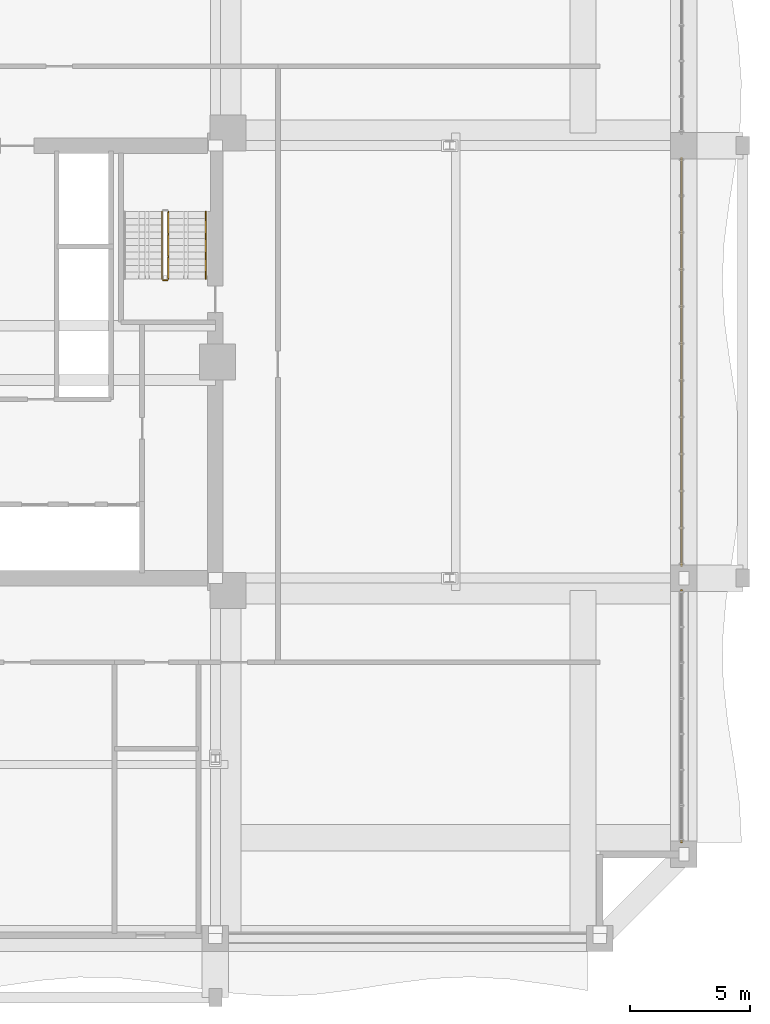
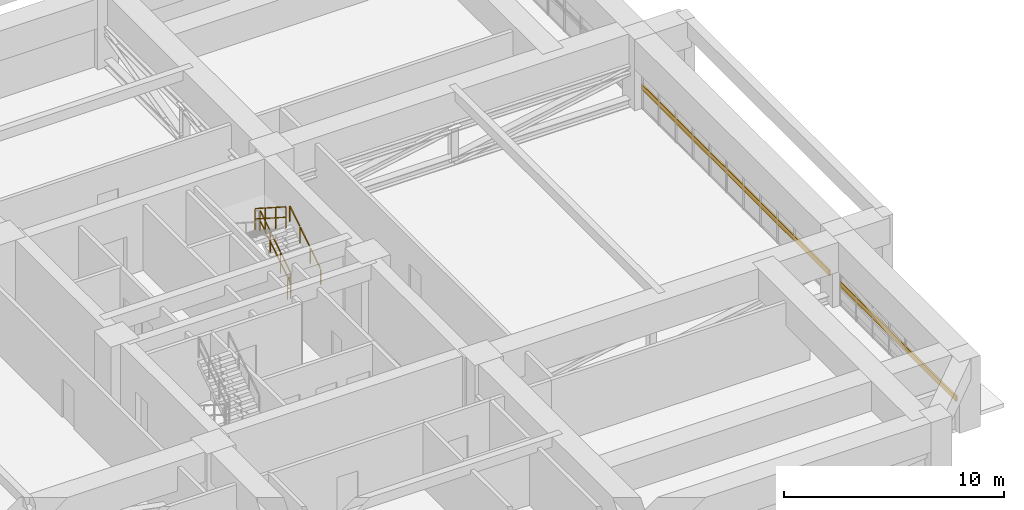
# One storey, part 33 of 35: 4 railings, 2 shading devices.
"""IFC4 building model written with IfcOpenShell, lengths in metres."""

from ifc_helpers import new_model, si_unit, direction, frame, origin, origin_2d, place, context, subcontext, project, spatial, rectangle, extrude, source, transform, mapped, material, material_profile, profile_set, type_object, element, save


model = new_model("IFC4")

# Units and contexts
model_context = context("Model", 3, precision=1e-05, world=origin(), true_north=direction((0.0, 1.0)))
body_context = subcontext(model_context, "Body", "Model", "MODEL_VIEW")
ifc_project = project(units=[si_unit("LENGTHUNIT", "METRE"), si_unit("AREAUNIT", "SQUARE_METRE"), si_unit("VOLUMEUNIT", "CUBIC_METRE"), si_unit("PLANEANGLEUNIT", "RADIAN"), si_unit("MASSUNIT", "GRAM", prefix="KILO")], contexts=[model_context])

# Site, building, storey
site_placement = place(None, origin())
site = spatial("IfcSite", under=ifc_project, at=site_placement, CompositionType="ELEMENT")
building_placement = place(site_placement, origin())
building = spatial("IfcBuilding", under=site, at=building_placement, Name="Saelheon Loggia Tower", CompositionType="ELEMENT")
storey_placement = place(building_placement, frame((0.0, 0.0, 70.39990234375)))
storey = spatial("IfcBuildingStorey", under=building, at=storey_placement, Name="L22", CompositionType="ELEMENT", Elevation=70.39990234375)

# Railings
ifc_material_1 = material(Name="Galvanised Steel S275 Stairwell Guardrail", Category="steel")
railing_type_1 = type_object("IfcRailingType", Name="Guard_StairWell_RL_STG", PredefinedType="GUARDRAIL", material=ifc_material_1)
railing_1_placement = place(storey_placement, frame((42.5400390625, 30.449951171875, 0.1796875)))
element("IfcRailing", 1, at=railing_1_placement, inside=storey, type_object=railing_type_1, Name="L22 ST2 stair guard 1", PredefinedType="GUARDRAIL", context=body_context, shape_type="SweptSolid", body=[
    extrude(rectangle(XDim=0.048095703125, YDim=0.048095703125, at=origin_2d()), frame((0.0, 0.028076171875, 1.19384765625), z_axis=(0.0, 0.841809871826, 0.539774156196), x_axis=(-1.0, 0.0, 0.0)), (0.0, 0.0, 1.0), 1.042236328125),
    extrude(rectangle(XDim=0.048095703125, YDim=0.048095703125, at=origin_2d()), frame((0.0, 0.028076171875, 0.617919921875), z_axis=(0.0, 0.841809871826, 0.539774156196), x_axis=(-1.0, 0.0, 0.0)), (0.0, 0.0, 1.0), 1.042236328125),
    extrude(rectangle(XDim=0.048095703125, YDim=0.048095703125, at=origin_2d()), frame((0.0, 0.96142578125, 1.792236328125), z_axis=(0.0, 0.841809871826, 0.539774156196), x_axis=(-1.0, 0.0, 0.0)), (0.0, 0.0, 1.0), 1.042236328125),
    extrude(rectangle(XDim=0.048095703125, YDim=0.048095703125, at=origin_2d()), frame((0.0, 0.96142578125, 1.21630859375), z_axis=(0.0, 0.841809871826, 0.539774156196), x_axis=(-1.0, 0.0, 0.0)), (0.0, 0.0, 1.0), 1.042236328125),
    extrude(rectangle(XDim=0.048095703125, YDim=0.048095703125, at=origin_2d()), frame((0.0, 1.894775390625, 2.390869140625), z_axis=(0.0, 0.841809871826, 0.539774156196), x_axis=(-1.0, 0.0, 0.0)), (0.0, 0.0, 1.0), 1.042236328125),
    extrude(rectangle(XDim=0.048095703125, YDim=0.048095703125, at=origin_2d()), frame((0.0, 1.894775390625, 1.81494140625), z_axis=(0.0, 0.841809871826, 0.539774156196), x_axis=(-1.0, 0.0, 0.0)), (0.0, 0.0, 1.0), 1.042236328125),
    extrude(rectangle(XDim=0.0419921875, YDim=0.0419921875, at=origin_2d()), origin(), (0.0, 0.0, 1.0), 1.14794921875),
    extrude(rectangle(XDim=0.0419921875, YDim=0.0419921875, at=origin_2d()), frame((0.0, 0.933349609375, 0.598388671875)), (0.0, 0.0, 1.0), 1.14794921875),
    extrude(rectangle(XDim=0.0419921875, YDim=0.0419921875, at=origin_2d()), frame((0.0, 1.86669921875, 1.197021484375)), (0.0, 0.0, 1.0), 1.14794921875),
    extrude(rectangle(XDim=0.0419921875, YDim=0.0419921875, at=origin_2d()), frame((0.0, 2.800048828125, 1.79541015625)), (0.0, 0.0, 1.0), 1.14794921875),
])
railing_2_placement = place(storey_placement, frame((42.280029296875, 33.25, 2.154541015625)))
element("IfcRailing", 2, at=railing_2_placement, inside=storey, type_object=railing_type_1, Name="L22 ST2 stair guard 3", PredefinedType="GUARDRAIL", context=body_context, shape_type="SweptSolid", body=[
    extrude(rectangle(XDim=0.048095703125, YDim=0.048095703125, at=origin_2d()), frame((0.0, -0.028076171875, 1.19384765625), z_axis=(0.0, -0.841776520102, 0.539826166654), x_axis=(1.0, 0.0, 0.0)), (0.0, 0.0, 1.0), 1.042236328125),
    extrude(rectangle(XDim=0.048095703125, YDim=0.048095703125, at=origin_2d()), frame((0.0, -0.028076171875, 0.617919921875), z_axis=(0.0, -0.841776520102, 0.539826166654), x_axis=(1.0, 0.0, 0.0)), (0.0, 0.0, 1.0), 1.042236328125),
    extrude(rectangle(XDim=0.048095703125, YDim=0.048095703125, at=origin_2d()), frame((0.0, -0.96142578125, 1.79248046875), z_axis=(0.0, -0.841776520102, 0.539826166654), x_axis=(1.0, 0.0, 0.0)), (0.0, 0.0, 1.0), 1.042236328125),
    extrude(rectangle(XDim=0.048095703125, YDim=0.048095703125, at=origin_2d()), frame((0.0, -0.96142578125, 1.216552734375), z_axis=(0.0, -0.841776520102, 0.539826166654), x_axis=(1.0, 0.0, 0.0)), (0.0, 0.0, 1.0), 1.042236328125),
    extrude(rectangle(XDim=0.048095703125, YDim=0.048095703125, at=origin_2d()), frame((0.0, -1.894775390625, 2.390869140625), z_axis=(0.0, -0.841776520102, 0.539826166654), x_axis=(1.0, 0.0, 0.0)), (0.0, 0.0, 1.0), 1.042236328125),
    extrude(rectangle(XDim=0.048095703125, YDim=0.048095703125, at=origin_2d()), frame((0.0, -1.894775390625, 1.81494140625), z_axis=(0.0, -0.841776520102, 0.539826166654), x_axis=(1.0, 0.0, 0.0)), (0.0, 0.0, 1.0), 1.042236328125),
    extrude(rectangle(XDim=0.0419921875, YDim=0.0419921875, at=origin_2d()), origin(), (0.0, 0.0, 1.0), 1.14794921875),
    extrude(rectangle(XDim=0.0419921875, YDim=0.0419921875, at=origin_2d()), frame((0.0, -0.933349609375, 0.5986328125)), (0.0, 0.0, 1.0), 1.14794921875),
    extrude(rectangle(XDim=0.0419921875, YDim=0.0419921875, at=origin_2d()), frame((0.0, -1.86669921875, 1.197021484375)), (0.0, 0.0, 1.0), 1.14794921875),
    extrude(rectangle(XDim=0.0419921875, YDim=0.0419921875, at=origin_2d()), frame((0.0, -2.800048828125, 1.795654296875)), (0.0, 0.0, 1.0), 1.14794921875),
])
railing_3_placement = place(storey_placement, frame((42.489990234375, 30.39990234375, 0.0)))
element("IfcRailing", 3, at=railing_3_placement, inside=storey, type_object=railing_type_1, Name="L22 ST2 stair guard 4", PredefinedType="GUARDRAIL", context=body_context, shape_type="SweptSolid", body=[
    extrude(rectangle(XDim=0.048095703125, YDim=0.048095703125, at=origin_2d()), frame((-0.033203125, 0.0, 1.17578125), z_axis=(-1.0, 0.0, 0.0), x_axis=(0.0, -1.0, 0.0)), (0.0, 0.0, 1.0), 0.093505859375),
    extrude(rectangle(XDim=0.048095703125, YDim=0.048095703125, at=origin_2d()), frame((-0.033203125, 0.0, 0.60009765625), z_axis=(-1.0, 0.0, 0.0), x_axis=(0.0, -1.0, 0.0)), (0.0, 0.0, 1.0), 0.093505859375),
    extrude(rectangle(XDim=0.0419921875, YDim=0.0419921875, at=origin_2d()), origin(), (0.0, 0.0, 1.0), 1.14794921875),
    extrude(rectangle(XDim=0.0419921875, YDim=0.0419921875, at=origin_2d()), frame((-0.159912109375, 0.0, 0.0)), (0.0, 0.0, 1.0), 1.14794921875),
])
ifc_material_2 = material(Name="Stainless Steel 304 Tubular Handrail", Category="steel")
railing_type_2 = type_object("IfcRailingType", Name="Handrail_Stair_RL_HR1", PredefinedType="HANDRAIL", material=ifc_material_2)
railing_4_placement = place(storey_placement, frame((44.10009765625, 30.449951171875, 0.1796875)))
element("IfcRailing", 4, at=railing_4_placement, inside=storey, type_object=railing_type_2, Name="L22 ST2 stair handrail 1", PredefinedType="HANDRAIL", context=body_context, shape_type="SweptSolid", body=[
    extrude(rectangle(XDim=0.048095703125, YDim=0.048095703125, at=origin_2d()), frame((0.0, 0.028076171875, 0.893798828125), z_axis=(0.0, 0.841809871826, 0.539774156196), x_axis=(-1.0, 0.0, 0.0)), (0.0, 0.0, 1.0), 1.042236328125),
    extrude(rectangle(XDim=0.048095703125, YDim=0.048095703125, at=origin_2d()), frame((0.0, 0.96142578125, 1.4921875), z_axis=(0.0, 0.841809871826, 0.539774156196), x_axis=(-1.0, 0.0, 0.0)), (0.0, 0.0, 1.0), 1.042236328125),
    extrude(rectangle(XDim=0.048095703125, YDim=0.048095703125, at=origin_2d()), frame((0.0, 1.894775390625, 2.0908203125), z_axis=(0.0, 0.841809871826, 0.539774156196), x_axis=(-1.0, 0.0, 0.0)), (0.0, 0.0, 1.0), 1.042236328125),
    extrude(rectangle(XDim=0.0419921875, YDim=0.0419921875, at=origin_2d()), origin(), (0.0, 0.0, 1.0), 0.847900390625),
    extrude(rectangle(XDim=0.0419921875, YDim=0.0419921875, at=origin_2d()), frame((0.0, 0.933349609375, 0.598388671875)), (0.0, 0.0, 1.0), 0.847900390625),
    extrude(rectangle(XDim=0.0419921875, YDim=0.0419921875, at=origin_2d()), frame((0.0, 1.86669921875, 1.197021484375)), (0.0, 0.0, 1.0), 0.847900390625),
    extrude(rectangle(XDim=0.0419921875, YDim=0.0419921875, at=origin_2d()), frame((0.0, 2.800048828125, 1.79541015625)), (0.0, 0.0, 1.0), 0.847900390625),
])

# Shading devices
ifc_material_3 = material(Name="Bronze-Anodised Aluminium 6063-T6", Category="aluminium")
ifc_material_profile = material_profile(ifc_material_3, rectangle(XDim=0.080078125, YDim=0.300048828125, at=origin_2d()), Name="Louvre_Refuge_LV_RF1")
ifc_profile_set = profile_set([ifc_material_profile], Name="Bronze-Anodised Aluminium 6063-T6")
shading_device_type = type_object("IfcShadingDeviceType", Name="Louvre_Refuge_LV_RF1", PredefinedType="JALOUSIE", material=ifc_profile_set)
shared_shape_1 = source(origin(), body_context, "Body", "SweptSolid", [
    extrude(rectangle(XDim=0.080078125, YDim=0.300048828125, at=origin_2d()), origin(), (0.0, 0.0, 1.0), 10.5400390625),
])
shading_device_1_placement = place(storey_placement, frame((63.89990234375, 6.97998046875, 1.150146484375), z_axis=(0.0, 1.0, 0.0), x_axis=(-1.0, 0.0, 0.0)))
element("IfcShadingDevice", 5, at=shading_device_1_placement, inside=storey, type_object=shading_device_type, Name="L22 Refuge Acoustic Louvre Blade", PredefinedType="JALOUSIE", context=body_context, shape_type="MappedRepresentation", body=[
    mapped(shared_shape_1, transform((0.0, 0.0, 0.0), scale=1.0)),
])
shared_shape_2 = source(origin(), body_context, "Body", "SweptSolid", [
    extrude(rectangle(XDim=0.080078125, YDim=0.300048828125, at=origin_2d()), origin(), (0.0, 0.0, 1.0), 17.0400390625),
])
shading_device_2_placement = place(storey_placement, frame((63.89990234375, 18.47998046875, 1.150146484375), z_axis=(0.0, 1.0, 0.0), x_axis=(-1.0, 0.0, 0.0)))
element("IfcShadingDevice", 6, at=shading_device_2_placement, inside=storey, type_object=shading_device_type, Name="L22 Refuge Acoustic Louvre Blade", PredefinedType="JALOUSIE", context=body_context, shape_type="MappedRepresentation", body=[
    mapped(shared_shape_2, transform((0.0, 0.0, 0.0), scale=1.0)),
])

save(model, "model.ifc")
